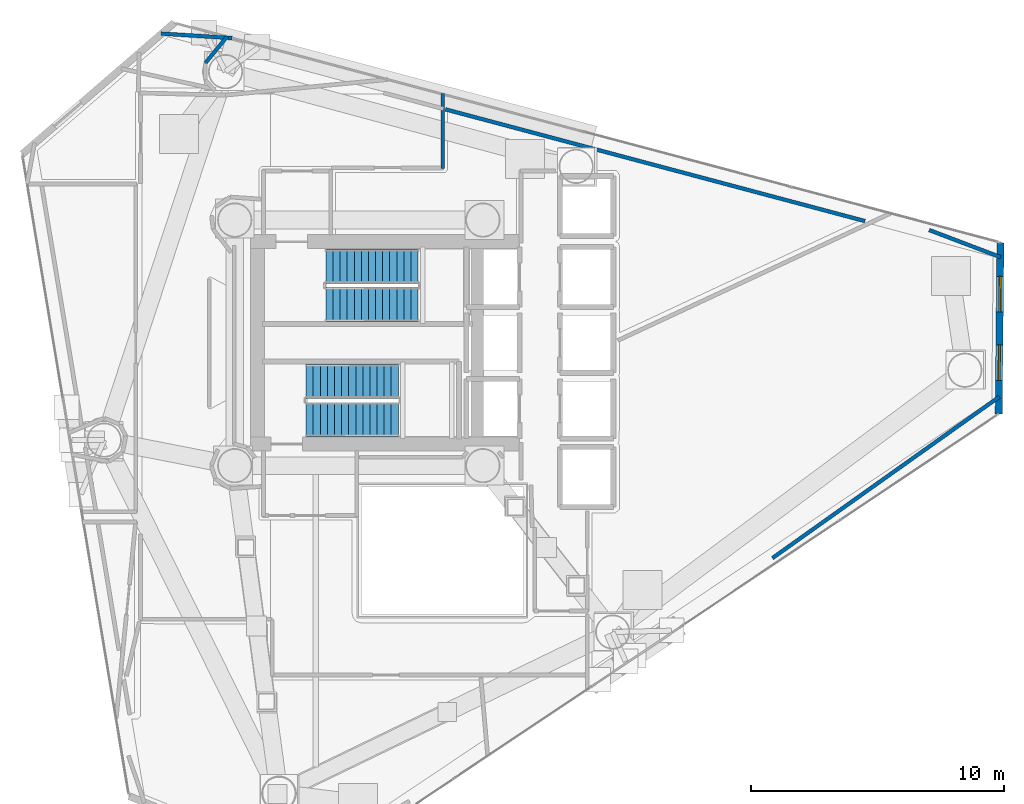
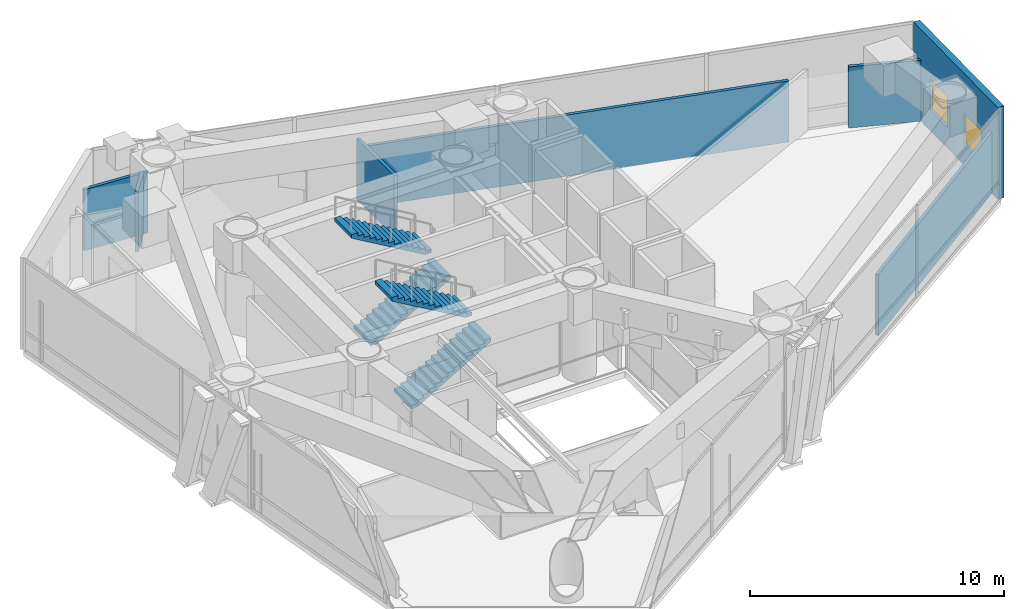
# One storey, part 19 of 22: 7 walls, 4 stair flights, 2 windows, 2 openings, 2 elements without a shape of their own.
"""IFC4 building model written with IfcOpenShell, lengths in metres."""

import ifcopenshell
import ifcopenshell.guid

model = None  # the IFC model being written
_history = None  # IfcOwnerHistory: only IFC2X3 demands one
_inside = {}  # id of a spatial element -> (the spatial element, [elements in it])
_under = {}  # id of a project, library or spatial element -> (it, [spatial elements below it])
_declared = {}  # id of a project -> (the project, [libraries it declares])
_typed = {}  # id of a type object -> (the type object, [elements of that type])
_made_of = {}  # id of a material, layer set ... -> (it, [elements and type objects made of it])


def new_model(schema):
    """Start an empty IFC model of exactly this schema.

    Asked for "IFC4X3", IfcOpenShell would pick the latest addendum, in which some entities
    have other attributes; the version numbers below select the first issue.
    IFC2X3 requires an IfcOwnerHistory on every rooted entity: one is made here for all.
    """
    global model, _history
    if schema == "IFC4X3":
        model = ifcopenshell.file(schema_version=(4, 3, 0, 0))
    else:
        model = ifcopenshell.file(schema=schema)
    _inside.clear()
    _under.clear()
    _declared.clear()
    _typed.clear()
    _made_of.clear()
    _history = None
    if model.schema == "IFC2X3":
        org = make("IfcOrganization", Name="unknown")
        user = make(
            "IfcPersonAndOrganization",
            ThePerson=make("IfcPerson", FamilyName="unknown"),
            TheOrganization=org,
        )
        app = make(
            "IfcApplication",
            ApplicationDeveloper=org,
            Version="unknown",
            ApplicationFullName="unknown",
            ApplicationIdentifier="unknown",
        )
        _history = make(
            "IfcOwnerHistory",
            OwningUser=user,
            OwningApplication=app,
            ChangeAction="ADDED",
            CreationDate=0,
        )
    return model


def make(cls, **values):
    """One entity of the class cls with the attributes given. An attribute that is None is left unset."""
    return model.create_entity(
        cls, **{name: value for name, value in values.items() if value is not None}
    )


def rooted(cls, **values):
    """An entity with a GlobalId (a new one), such as an element, a storey or a relation."""
    return make(cls, GlobalId=ifcopenshell.guid.new(), OwnerHistory=_history, **values)


def si_unit(unit_type, name, prefix=None):
    """IfcSIUnit, for example si_unit("LENGTHUNIT", "METRE", prefix="MILLI")."""
    return make("IfcSIUnit", UnitType=unit_type, Prefix=prefix, Name=name)


def assignment(units):
    """IfcUnitAssignment: the units of a project."""
    return None if units is None else make("IfcUnitAssignment", Units=units)


def point(xyz):
    """IfcCartesianPoint."""
    return None if xyz is None else make("IfcCartesianPoint", Coordinates=xyz)


def direction(xyz):
    """IfcDirection."""
    return None if xyz is None else make("IfcDirection", DirectionRatios=xyz)


def frame(location, z_axis=None, x_axis=None):
    """IfcAxis2Placement3D, a coordinate frame: its origin and axes. An axis left out is left unset."""
    return make(
        "IfcAxis2Placement3D",
        Location=point(location),
        Axis=direction(z_axis),
        RefDirection=direction(x_axis),
    )


def frame_2d(location, x_axis=None):
    """IfcAxis2Placement2D, a coordinate frame in the plane: its origin and x axis."""
    return make(
        "IfcAxis2Placement2D", Location=point(location), RefDirection=direction(x_axis)
    )


def origin():
    """The frame at (0, 0, 0) with its axes left unset."""
    return frame((0.0, 0.0, 0.0))


def place(relative_to, where):
    """IfcLocalPlacement: puts the frame where relative to a parent placement (None: the world)."""
    return make(
        "IfcLocalPlacement", PlacementRelTo=relative_to, RelativePlacement=where
    )


def context(
    kind, dimensions, precision=None, world=None, true_north=None, identifier=None
):
    """IfcGeometricRepresentationContext, for example the 3D "Model" context."""
    return make(
        "IfcGeometricRepresentationContext",
        ContextIdentifier=identifier,
        ContextType=kind,
        CoordinateSpaceDimension=dimensions,
        Precision=precision,
        WorldCoordinateSystem=world,
        TrueNorth=true_north,
    )


def subcontext(parent, identifier, kind, view, scale=None):
    """IfcGeometricRepresentationSubContext, for example "Body" below "Model"."""
    return make(
        "IfcGeometricRepresentationSubContext",
        ContextIdentifier=identifier,
        ContextType=kind,
        ParentContext=parent,
        TargetScale=scale,
        TargetView=view,
    )


def project(units=None, contexts=None):
    """IfcProject with its units and contexts."""
    return rooted(
        "IfcProject",
        Name="project",
        RepresentationContexts=contexts,
        UnitsInContext=assignment(units),
    )


def spatial(cls, under=None, at=None, **own):
    """A site, building, storey or space (cls), placed at a placement, below another one or the project."""
    s = rooted(cls, ObjectPlacement=at, **own)
    if under is not None:
        _under.setdefault(under.id(), (under, []))[1].append(s)
    return s


def polyline(points):
    """IfcPolyline through the points."""
    return make("IfcPolyline", Points=[point(p) for p in points])


def profile(cls, at=None, kind="AREA", **sizes):
    """A parametric profile (cls). Its sizes go by their IFC names, for example OverallWidth=200.0."""
    return make(cls, ProfileType=kind, Position=at, **sizes)


def rectangle(**sizes):
    """IfcRectangleProfileDef."""
    return profile("IfcRectangleProfileDef", **sizes)


def outline(outer, holes=None, kind="AREA"):
    """IfcArbitraryClosedProfileDef: a profile drawn as a closed curve; with holes, ...WithVoids."""
    if holes is None:
        return make("IfcArbitraryClosedProfileDef", ProfileType=kind, OuterCurve=outer)
    return make(
        "IfcArbitraryProfileDefWithVoids",
        ProfileType=kind,
        OuterCurve=outer,
        InnerCurves=holes,
    )


def extrude(swept, where, along, depth):
    """IfcExtrudedAreaSolid: the profile swept, set in the frame where, extruded along a direction by depth."""
    return make(
        "IfcExtrudedAreaSolid",
        SweptArea=swept,
        Position=where,
        ExtrudedDirection=direction(along),
        Depth=depth,
    )


def shape(context_of_items, identifier, shape_type, items):
    """IfcShapeRepresentation: the items that make up one representation, for example the "Body"."""
    return make(
        "IfcShapeRepresentation",
        ContextOfItems=context_of_items,
        RepresentationIdentifier=identifier,
        RepresentationType=shape_type,
        Items=items,
    )


def material(Name=None, Category=None):
    """IfcMaterial."""
    return make("IfcMaterial", Name=Name, Category=Category)


def layer(
    of_material, thickness, ventilated=None, Name=None, Category=None, Priority=None
):
    """IfcMaterialLayer: one layer of a wall or slab, of a material (None: an air gap)."""
    return make(
        "IfcMaterialLayer",
        Material=of_material,
        LayerThickness=thickness,
        IsVentilated=ventilated,
        Name=Name,
        Category=Category,
        Priority=Priority,
    )


def layer_set(layers, Name=None):
    """IfcMaterialLayerSet."""
    return make("IfcMaterialLayerSet", MaterialLayers=layers, LayerSetName=Name)


def made_of(thing, what):
    """Note that an element or type object is made of a material, layer set ...; save() writes the relation."""
    if what is not None:
        _made_of.setdefault(what.id(), (what, []))[1].append(thing)
    return thing


def type_object(cls, material=None, **own):
    """A type object (cls), such as IfcWallType, which elements share."""
    return made_of(rooted(cls, **own), material)


def element(
    cls,
    number,
    at=None,
    inside=None,
    cuts=None,
    type_object=None,
    material=None,
    context=None,
    identifier="Body",
    shape_type=None,
    held_by="IfcProductDefinitionShape",
    body=None,
    shapes=None,
    **own,
):
    """One element of the class cls, such as IfcWall. Its Tag is "e" and its number.

    at: its placement. inside: the storey or other place that contains it. cuts: it is an
    opening in that element (IfcRelVoidsElement). A single representation is given by context,
    identifier, shape_type and body (its items); several are given by shapes. held_by: the class
    of the entity that holds the representations. save() writes the other relations.
    """
    e = rooted(cls, Tag="e%d" % number, ObjectPlacement=at, **own)
    if body is not None:
        shapes = [shape(context, identifier, shape_type, body)]
    if shapes is not None:
        e.Representation = make(held_by, Representations=shapes)
    if inside is not None:
        _inside.setdefault(inside.id(), (inside, []))[1].append(e)
    if cuts is not None:
        rooted(
            "IfcRelVoidsElement", RelatingBuildingElement=cuts, RelatedOpeningElement=e
        )
    if type_object is not None:
        _typed.setdefault(type_object.id(), (type_object, []))[1].append(e)
    return made_of(e, material)


def fill(opening, filler):
    """IfcRelFillsElement: the door or window that sits in an opening."""
    return rooted(
        "IfcRelFillsElement",
        RelatingOpeningElement=opening,
        RelatedBuildingElement=filler,
    )


def aggregate(whole, parts):
    """IfcRelAggregates: a whole, such as a stair, and the parts it consists of."""
    return rooted("IfcRelAggregates", RelatingObject=whole, RelatedObjects=parts)


def save(model, path):
    """Write the relations noted so far, then the file.

    IfcRelAggregates (storeys below a building ...), IfcRelContainedInSpatialStructure (elements
    in a storey), IfcRelDefinesByType, IfcRelAssociatesMaterial and IfcRelDeclares: one each for
    every whole, place, type object, material and project.
    """
    for whole, parts in _under.values():
        aggregate(whole, parts)
    for where, things in _inside.values():
        rooted(
            "IfcRelContainedInSpatialStructure",
            RelatedElements=things,
            RelatingStructure=where,
        )
    for kind, things in _typed.values():
        rooted("IfcRelDefinesByType", RelatedObjects=things, RelatingType=kind)
    for what, things in _made_of.values():
        rooted("IfcRelAssociatesMaterial", RelatedObjects=things, RelatingMaterial=what)
    for by, libraries in _declared.values():
        rooted("IfcRelDeclares", RelatingContext=by, RelatedDefinitions=libraries)
    model.write(path)


model = new_model("IFC4")

# Units and contexts
model_context = context("Model", 3, precision=1e-05, world=origin(), true_north=direction((0.0, 1.0)))
body_context = subcontext(model_context, "Body", "Model", "MODEL_VIEW")
ifc_project = project(units=[si_unit("LENGTHUNIT", "METRE"), si_unit("AREAUNIT", "SQUARE_METRE"), si_unit("VOLUMEUNIT", "CUBIC_METRE"), si_unit("PLANEANGLEUNIT", "RADIAN"), si_unit("MASSUNIT", "GRAM", prefix="KILO")], contexts=[model_context])

# Site, building, storey
site_placement = place(None, origin())
site = spatial("IfcSite", under=ifc_project, at=site_placement, CompositionType="ELEMENT")
building_placement = place(site_placement, origin())
building = spatial("IfcBuilding", under=site, at=building_placement, Name="Qianvela Tower", CompositionType="ELEMENT")
storey_placement = place(building_placement, frame((0.0, 0.0, 184.60009765625)))
storey = spatial("IfcBuildingStorey", under=building, at=storey_placement, Name="L47", CompositionType="ELEMENT", Elevation=184.60009765625)

# Wall, openings, windows
ifc_material_1 = material(Name="Terracotta Cladding on Concrete C40", Category="masonry")
ifc_layer_1 = layer(ifc_material_1, 0.280029296875)
ifc_layer_set_1 = layer_set([ifc_layer_1], Name="Terracotta Cladding on Concrete C40")
wall_type_1 = type_object("IfcWallType", Name="TERRACOTTA-WALL-280", PredefinedType="SOLIDWALL", material=ifc_layer_set_1)
wall_1_placement = place(storey_placement, frame((58.77294921875, 25.890869140625, 0.0), z_axis=(0.0, 0.0, 1.0), x_axis=(0.010178875598, 0.999948193904, 0.0)))
wall_1 = element("IfcWall", 1, at=wall_1_placement, inside=storey, type_object=wall_type_1, Name="L47 Terracotta Chamfer Facet Wall 1", PredefinedType="SOLIDWALL", context=body_context, shape_type="SweptSolid", body=[
    extrude(rectangle(XDim=6.763671875, YDim=0.280029296875, at=frame_2d((3.3818359375, 0.0))), origin(), (0.0, 0.0, 1.0), 4.419921875),
])
opening_1_placement = place(wall_1_placement, frame((1.3291015625, 0.0, 1.0)))
opening_1 = element("IfcOpeningElement", 2, at=opening_1_placement, cuts=wall_1, Name="Opening W-06", PredefinedType="OPENING", context=body_context, shape_type="SweptSolid", body=[
    extrude(rectangle(XDim=1.39990234375, YDim=1.5, at=frame_2d((0.699951171875, 0.75))), frame((0.0, 0.14990234375, 0.0), z_axis=(0.0, -1.0, 0.0), x_axis=(1.0, 0.0, 0.0)), (0.0, 0.0, 1.0), 0.300048828125),
])
opening_2_placement = place(wall_1_placement, frame((4.03466796875, 0.0, 1.0)))
opening_2 = element("IfcOpeningElement", 3, at=opening_2_placement, cuts=wall_1, Name="Opening W-06", PredefinedType="OPENING", context=body_context, shape_type="SweptSolid", body=[
    extrude(rectangle(XDim=1.39990234375, YDim=1.5, at=frame_2d((0.699951171875, 0.75))), frame((0.0, 0.14990234375, 0.0), z_axis=(0.0, -1.0, 0.0), x_axis=(1.0, 0.0, 0.0)), (0.0, 0.0, 1.0), 0.300048828125),
])
ifc_material_2 = material(Name="Thermally Broken Aluminium and Low-E Glass", Category="aluminium")
window_type = type_object("IfcWindowType", Name="WIN-REF-1400x1500", PartitioningType="SINGLE_PANEL", PredefinedType="WINDOW", material=ifc_material_2)
window_1_placement = place(opening_1_placement, origin())
window_1 = element("IfcWindow", 4, at=window_1_placement, inside=storey, type_object=window_type, Name="L47 Chamfer Facet Window 1.1", OverallHeight=1.5, OverallWidth=1.39990234375, PartitioningType="SINGLE_PANEL", PredefinedType="WINDOW", context=body_context, shape_type="SweptSolid", body=[
    extrude(rectangle(XDim=1.39990234375, YDim=1.5, at=frame_2d((0.699951171875, 0.75))), frame((0.0, 0.030029296875, 0.0), z_axis=(0.0, -1.0, 0.0), x_axis=(1.0, 0.0, 0.0)), (0.0, 0.0, 1.0), 0.06005859375),
])
fill(opening_1, window_1)
window_2_placement = place(opening_2_placement, origin())
window_2 = element("IfcWindow", 5, at=window_2_placement, inside=storey, type_object=window_type, Name="L47 Chamfer Facet Window 1.2", OverallHeight=1.5, OverallWidth=1.39990234375, PartitioningType="SINGLE_PANEL", PredefinedType="WINDOW", context=body_context, shape_type="SweptSolid", body=[
    extrude(rectangle(XDim=1.39990234375, YDim=1.5, at=frame_2d((0.699951171875, 0.75))), frame((0.0, 0.030029296875, 0.0), z_axis=(0.0, -1.0, 0.0), x_axis=(1.0, 0.0, 0.0)), (0.0, 0.0, 1.0), 0.06005859375),
])
fill(opening_2, window_2)

# Walls
ifc_material_3 = material(Name="Fire-Rated Acoustic Gypsum Board")
ifc_layer_2 = layer(ifc_material_3, 0.14990234375)
ifc_layer_set_2 = layer_set([ifc_layer_2], Name="Fire-Rated Acoustic Gypsum Board")
wall_type_2 = type_object("IfcWallType", Name="WT-CORR-150", PredefinedType="PARTITIONING", material=ifc_layer_set_2)
wall_2_placement = place(storey_placement, frame((36.819091796875, 38.53955078125, 0.0), z_axis=(0.0, 0.0, 1.0), x_axis=(0.0, -1.0, 0.0)))
element("IfcWall", 6, at=wall_2_placement, inside=storey, type_object=wall_type_2, Name="L47 Partition 67", PredefinedType="PARTITIONING", context=body_context, shape_type="SweptSolid", body=[
    extrude(rectangle(XDim=2.95947265625, YDim=0.14990234375, at=frame_2d((1.479736328125, 0.0))), origin(), (0.0, 0.0, 1.0), 2.93994140625),
])
wall_3_placement = place(storey_placement, frame((25.686279296875, 40.914306640625, 0.0), z_axis=(0.0, 0.0, 1.0), x_axis=(0.997990017517, -0.063371325817, 0.0)))
element("IfcWall", 7, at=wall_3_placement, inside=storey, type_object=wall_type_2, Name="L47 Partition 84", PredefinedType="PARTITIONING", context=body_context, shape_type="SweptSolid", body=[
    extrude(rectangle(XDim=2.816162109375, YDim=0.14990234375, at=frame_2d((1.408203125, 0.0))), origin(), (0.0, 0.0, 1.0), 2.93994140625),
])
wall_4_placement = place(storey_placement, frame((28.3056640625, 40.8056640625, 0.0), z_axis=(0.0, 0.0, 1.0), x_axis=(-0.634308390402, -0.773080116072, 0.0)))
element("IfcWall", 8, at=wall_4_placement, inside=storey, type_object=wall_type_2, Name="L47 Partition 86", PredefinedType="PARTITIONING", context=body_context, shape_type="SweptSolid", body=[
    extrude(rectangle(XDim=1.365234375, YDim=0.14990234375, at=frame_2d((0.6826171875, 0.0))), origin(), (0.0, 0.0, 1.0), 2.93994140625),
])
wall_5_placement = place(storey_placement, frame((56.02734375, 33.155517578125, 0.0), z_axis=(0.0, 0.0, 1.0), x_axis=(0.934744452072, -0.355320713328, 0.0)))
element("IfcWall", 9, at=wall_5_placement, inside=storey, type_object=wall_type_2, Name="L47 Partition 104 seg 1", PredefinedType="PARTITIONING", context=body_context, shape_type="SweptSolid", body=[
    extrude(rectangle(XDim=3.025390625, YDim=0.14990234375, at=frame_2d((1.5126953125, 0.0))), origin(), (0.0, 0.0, 1.0), 2.93994140625),
])
wall_6_placement = place(storey_placement, frame((58.79638671875, 26.569580078125, 0.0), z_axis=(0.0, 0.0, 1.0), x_axis=(-0.81498282219, -0.579485115887, 0.0)))
element("IfcWall", 10, at=wall_6_placement, inside=storey, type_object=wall_type_2, Name="L47 Partition 106 seg 1", PredefinedType="PARTITIONING", context=body_context, shape_type="SweptSolid", body=[
    extrude(rectangle(XDim=10.995361328125, YDim=0.14990234375, at=frame_2d((5.49755859375, 0.0))), origin(), (0.0, 0.0, 1.0), 2.93994140625),
])
wall_7_placement = place(storey_placement, frame((36.922119140625, 37.921875, 0.0), z_axis=(0.0, 0.0, 1.0), x_axis=(0.966315469674, -0.257360473013, 0.0)))
element("IfcWall", 11, at=wall_7_placement, inside=storey, type_object=wall_type_2, Name="L47 Partition 120 seg 1", PredefinedType="PARTITIONING", context=body_context, shape_type="SweptSolid", body=[
    extrude(rectangle(XDim=17.1484375, YDim=0.14990234375, at=frame_2d((8.57421875, 0.0))), origin(), (0.0, 0.0, 1.0), 2.93994140625),
])

# Stair, stair flights
ifc_material_4 = material(Name="Concrete C40", Category="concrete")
stair_type = type_object("IfcStairType", Name="ST-DOGLEG-1350-R164-N28", PredefinedType="HALF_TURN_STAIR", material=ifc_material_4)
stair_1_placement = place(storey_placement, origin())
stair_1 = element("IfcStair", 12, at=stair_1_placement, inside=storey, type_object=stair_type, Name="L47 Smoke-Proof Core Stair ST-1", PredefinedType="HALF_TURN_STAIR")
ifc_material_5 = material(Name="Concrete C40", Category="concrete")
stair_flight_type = type_object("IfcStairFlightType", Name="STF-STRAIGHT-R164-P14", PredefinedType="STRAIGHT", material=ifc_material_5)
stair_flight_1_placement = place(storey_placement, frame((32.199951171875, 30.215087890625, 0.0), z_axis=(0.0, 0.0, 1.0), x_axis=(1.0, 0.0, 0.0)))
stair_flight_1 = element("IfcStairFlight", 13, at=stair_flight_1_placement, type_object=stair_flight_type, Name="ST-1 flight 1", NumberOfRisers=14, NumberOfTreads=13, PredefinedType="STRAIGHT", RiserHeight=0.164285714, TreadLength=0.28, context=body_context, shape_type="SweptSolid", body=[
    extrude(outline(polyline([(0.0, 0.0), (0.0, 0.164306640625), (0.280029296875, 0.164306640625), (0.280029296875, 0.32861328125), (0.56005859375, 0.32861328125), (0.56005859375, 0.492919921875), (0.840087890625, 0.492919921875), (0.840087890625, 0.6572265625), (1.1201171875, 0.6572265625), (1.1201171875, 0.821533203125), (1.39990234375, 0.821533203125), (1.39990234375, 0.985595703125), (1.679931640625, 0.985595703125), (1.679931640625, 1.14990234375), (1.9599609375, 1.14990234375), (1.9599609375, 1.314208984375), (2.239990234375, 1.314208984375), (2.239990234375, 1.478515625), (2.52001953125, 1.478515625), (2.52001953125, 1.642822265625), (2.800048828125, 1.642822265625), (2.800048828125, 1.80712890625), (3.080078125, 1.80712890625), (3.080078125, 1.971435546875), (3.360107421875, 1.971435546875), (3.360107421875, 2.1357421875), (3.639892578125, 2.1357421875), (3.639892578125, 2.300048828125), (3.639892578125, 1.9619140625), (0.296142578125, 0.0), (0.0, 0.0)])), frame((0.0, 0.675048828125, 0.0), z_axis=(0.0, -1.0, 0.0), x_axis=(1.0, 0.0, 0.0)), (0.0, 0.0, 1.0), 1.35009765625),
])
stair_flight_2_placement = place(storey_placement, frame((35.840087890625, 31.72509765625, 2.2998046875), z_axis=(0.0, 0.0, 1.0), x_axis=(-1.0, 0.0, 0.0)))
stair_flight_2 = element("IfcStairFlight", 14, at=stair_flight_2_placement, type_object=stair_flight_type, Name="ST-1 flight 2", NumberOfRisers=14, NumberOfTreads=13, PredefinedType="STRAIGHT", RiserHeight=0.164285714, TreadLength=0.28, context=body_context, shape_type="SweptSolid", body=[
    extrude(outline(polyline([(0.0, 0.0), (0.0, 0.164306640625), (0.280029296875, 0.164306640625), (0.280029296875, 0.32861328125), (0.56005859375, 0.32861328125), (0.56005859375, 0.492919921875), (0.840087890625, 0.492919921875), (0.840087890625, 0.6572265625), (1.1201171875, 0.6572265625), (1.1201171875, 0.821533203125), (1.39990234375, 0.821533203125), (1.39990234375, 0.985595703125), (1.679931640625, 0.985595703125), (1.679931640625, 1.14990234375), (1.9599609375, 1.14990234375), (1.9599609375, 1.314208984375), (2.239990234375, 1.314208984375), (2.239990234375, 1.478515625), (2.52001953125, 1.478515625), (2.52001953125, 1.642822265625), (2.800048828125, 1.642822265625), (2.800048828125, 1.80712890625), (3.080078125, 1.80712890625), (3.080078125, 1.971435546875), (3.360107421875, 1.971435546875), (3.360107421875, 2.1357421875), (3.639892578125, 2.1357421875), (3.639892578125, 2.300048828125), (3.639892578125, 1.9619140625), (0.296142578125, 0.0), (0.0, 0.0)])), frame((0.0, 0.675048828125, 0.0), z_axis=(0.0, -1.0, 0.0), x_axis=(1.0, 0.0, 0.0)), (0.0, 0.0, 1.0), 1.35009765625),
])
aggregate(stair_1, [stair_flight_1, stair_flight_2])

stair_2_placement = place(storey_placement, origin())
stair_2 = element("IfcStair", 15, at=stair_2_placement, inside=storey, type_object=stair_type, Name="L47 Smoke-Proof Core Stair ST-2", PredefinedType="HALF_TURN_STAIR")
stair_flight_3_placement = place(storey_placement, frame((31.419921875, 25.675048828125, 0.0), z_axis=(0.0, 0.0, 1.0), x_axis=(1.0, 0.0, 0.0)))
stair_flight_3 = element("IfcStairFlight", 16, at=stair_flight_3_placement, type_object=stair_flight_type, Name="ST-2 flight 1", NumberOfRisers=14, NumberOfTreads=13, PredefinedType="STRAIGHT", RiserHeight=0.164285714, TreadLength=0.28, context=body_context, shape_type="SweptSolid", body=[
    extrude(outline(polyline([(0.0, 0.0), (0.0, 0.164306640625), (0.280029296875, 0.164306640625), (0.280029296875, 0.32861328125), (0.56005859375, 0.32861328125), (0.56005859375, 0.492919921875), (0.840087890625, 0.492919921875), (0.840087890625, 0.6572265625), (1.1201171875, 0.6572265625), (1.1201171875, 0.821533203125), (1.39990234375, 0.821533203125), (1.39990234375, 0.985595703125), (1.679931640625, 0.985595703125), (1.679931640625, 1.14990234375), (1.9599609375, 1.14990234375), (1.9599609375, 1.314208984375), (2.239990234375, 1.314208984375), (2.239990234375, 1.478515625), (2.52001953125, 1.478515625), (2.52001953125, 1.642822265625), (2.800048828125, 1.642822265625), (2.800048828125, 1.80712890625), (3.080078125, 1.80712890625), (3.080078125, 1.971435546875), (3.360107421875, 1.971435546875), (3.360107421875, 2.1357421875), (3.639892578125, 2.1357421875), (3.639892578125, 2.300048828125), (3.639892578125, 1.9619140625), (0.296142578125, 0.0), (0.0, 0.0)])), frame((0.0, 0.675048828125, 0.0), z_axis=(0.0, -1.0, 0.0), x_axis=(1.0, 0.0, 0.0)), (0.0, 0.0, 1.0), 1.35009765625),
])
stair_flight_4_placement = place(storey_placement, frame((35.06005859375, 27.18505859375, 2.2998046875), z_axis=(0.0, 0.0, 1.0), x_axis=(-1.0, 0.0, 0.0)))
stair_flight_4 = element("IfcStairFlight", 17, at=stair_flight_4_placement, type_object=stair_flight_type, Name="ST-2 flight 2", NumberOfRisers=14, NumberOfTreads=13, PredefinedType="STRAIGHT", RiserHeight=0.164285714, TreadLength=0.28, context=body_context, shape_type="SweptSolid", body=[
    extrude(outline(polyline([(0.0, 0.0), (0.0, 0.164306640625), (0.280029296875, 0.164306640625), (0.280029296875, 0.32861328125), (0.56005859375, 0.32861328125), (0.56005859375, 0.492919921875), (0.840087890625, 0.492919921875), (0.840087890625, 0.6572265625), (1.1201171875, 0.6572265625), (1.1201171875, 0.821533203125), (1.39990234375, 0.821533203125), (1.39990234375, 0.985595703125), (1.679931640625, 0.985595703125), (1.679931640625, 1.14990234375), (1.9599609375, 1.14990234375), (1.9599609375, 1.314208984375), (2.239990234375, 1.314208984375), (2.239990234375, 1.478515625), (2.52001953125, 1.478515625), (2.52001953125, 1.642822265625), (2.800048828125, 1.642822265625), (2.800048828125, 1.80712890625), (3.080078125, 1.80712890625), (3.080078125, 1.971435546875), (3.360107421875, 1.971435546875), (3.360107421875, 2.1357421875), (3.639892578125, 2.1357421875), (3.639892578125, 2.300048828125), (3.639892578125, 1.9619140625), (0.296142578125, 0.0), (0.0, 0.0)])), frame((0.0, 0.675048828125, 0.0), z_axis=(0.0, -1.0, 0.0), x_axis=(1.0, 0.0, 0.0)), (0.0, 0.0, 1.0), 1.35009765625),
])
aggregate(stair_2, [stair_flight_3, stair_flight_4])

save(model, "model.ifc")
